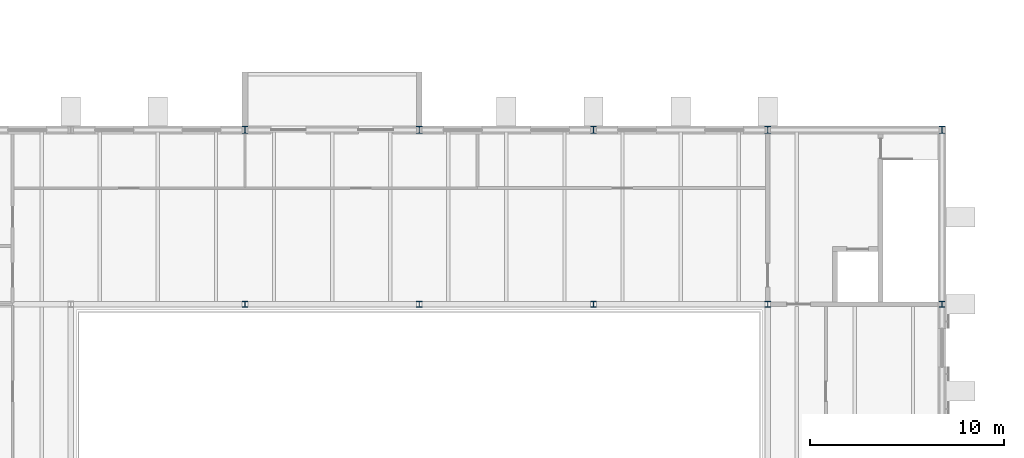
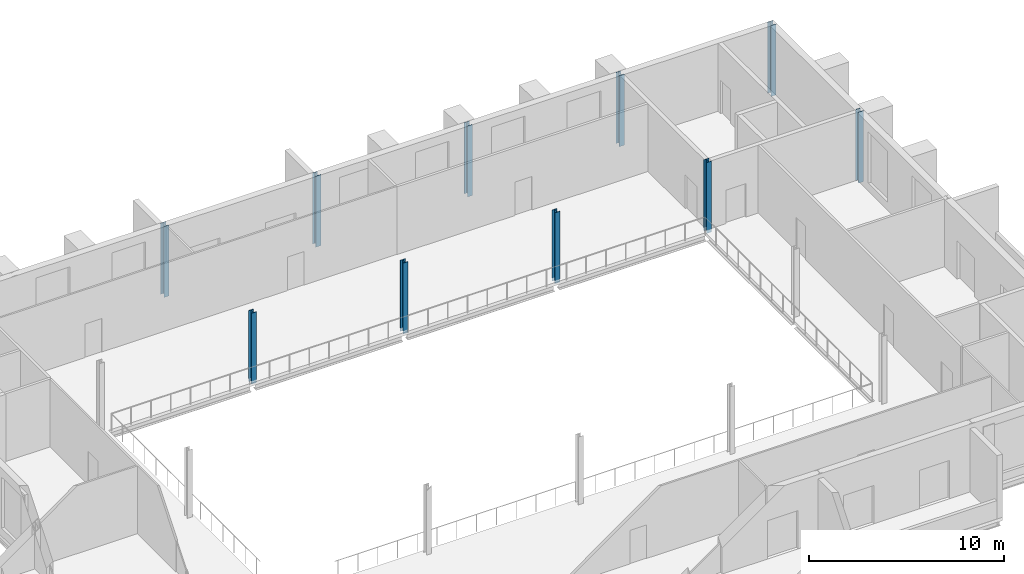
# One storey, part 23 of 131: 10 columns.
"""IFC4 building model written with IfcOpenShell, lengths in metres."""

from ifc_helpers import new_model, si_unit, direction, frame, origin, origin_2d, place, context, subcontext, project, spatial, i_section, extrude, material, material_profile, profile_set, type_object, element, save


model = new_model("IFC4")

# Units and contexts
model_context = context("Model", 3, precision=1e-05, world=origin(), true_north=direction((0.0, 1.0)))
body_context = subcontext(model_context, "Body", "Model", "MODEL_VIEW")
ifc_project = project(units=[si_unit("LENGTHUNIT", "METRE"), si_unit("AREAUNIT", "SQUARE_METRE"), si_unit("VOLUMEUNIT", "CUBIC_METRE"), si_unit("PLANEANGLEUNIT", "RADIAN"), si_unit("MASSUNIT", "GRAM", prefix="KILO")], contexts=[model_context])

# Site, building, storey
site_placement = place(None, origin())
site = spatial("IfcSite", under=ifc_project, at=site_placement, CompositionType="ELEMENT")
building_placement = place(site_placement, origin())
building = spatial("IfcBuilding", under=site, at=building_placement, Name="Golden Quay Civic Hall", CompositionType="ELEMENT")
storey_placement = place(building_placement, frame((0.0, 0.0, 9.89990234375)))
storey = spatial("IfcBuildingStorey", under=building, at=storey_placement, Name="L02", CompositionType="ELEMENT", Elevation=9.89990234375)

# Columns
ifc_material_1 = material(Name="Steel S355", Category="steel")
ifc_material_profile_1 = material_profile(ifc_material_1, i_section(OverallWidth=0.300048828125, OverallDepth=0.300048828125, WebThickness=0.010986328125, FlangeThickness=0.01904296875, FilletRadius=0.027099609375, at=origin_2d()), Name="HEB 300")
ifc_profile_set_1 = profile_set([ifc_material_profile_1], Name="Steel S355")
column_type_1 = type_object("IfcColumnType", Name="Steel column HEB 300", PredefinedType="COLUMN", material=ifc_profile_set_1)
for number, where, z_axis, x_axis, name in (
    (1, (135.0, 90.0, -0.199951171875), (0.0, 0.0, 1.0), (1.0, 0.0, 0.0), "L02 column 135/90"),
    (2, (144.0, 90.0, -0.199951171875), (0.0, 0.0, 1.0), (1.0, 0.0, 0.0), "L02 column 144/90"),
    (3, (153.0, 90.0, -0.199951171875), (0.0, 0.0, 1.0), (1.0, 0.0, 0.0), "L02 column 153/90"),
    (4, (162.0, 90.0, -0.199951171875), (0.0, 0.0, 1.0), (1.0, 0.0, 0.0), "L02 column 162/90"),
    (5, (171.0, 90.0, -0.199951171875), (0.0, 0.0, 1.0), (1.0, 0.0, 0.0), "L02 column 171/90"),
):
    element("IfcColumn", number, at=place(storey_placement, frame(where, z_axis=z_axis, x_axis=x_axis)), inside=storey, type_object=column_type_1, Name=name, PredefinedType="COLUMN", context=body_context, shape_type="SweptSolid", body=[
        extrude(i_section(OverallWidth=0.300048828125, OverallDepth=0.300048828125, WebThickness=0.010986328125, FlangeThickness=0.01904296875, FilletRadius=0.027099609375, at=origin_2d()), origin(), (0.0, 0.0, 1.0), 4.449951171875),
    ])
ifc_material_2 = material(Name="Steel S355", Category="steel")
ifc_material_profile_2 = material_profile(ifc_material_2, i_section(OverallWidth=0.300048828125, OverallDepth=0.360107421875, WebThickness=0.012451171875, FlangeThickness=0.0224609375, FilletRadius=0.027099609375, at=origin_2d()), Name="HEB 360")
ifc_profile_set_2 = profile_set([ifc_material_profile_2], Name="Steel S355")
column_type_2 = type_object("IfcColumnType", Name="Steel column HEB 360", PredefinedType="COLUMN", material=ifc_profile_set_2)
for number, where, z_axis, x_axis, name in (
    (6, (135.0, 99.0, -0.199951171875), (0.0, 0.0, 1.0), (1.0, 0.0, 0.0), "L02 column 135/99"),
    (7, (144.0, 99.0, -0.199951171875), (0.0, 0.0, 1.0), (1.0, 0.0, 0.0), "L02 column 144/99"),
    (8, (153.0, 99.0, -0.199951171875), (0.0, 0.0, 1.0), (1.0, 0.0, 0.0), "L02 column 153/99"),
    (9, (162.0, 99.0, -0.199951171875), (0.0, 0.0, 1.0), (1.0, 0.0, 0.0), "L02 column 162/99"),
    (10, (171.0, 99.0, -0.199951171875), (0.0, 0.0, 1.0), (1.0, 0.0, 0.0), "L02 column 171/99"),
):
    element("IfcColumn", number, at=place(storey_placement, frame(where, z_axis=z_axis, x_axis=x_axis)), inside=storey, type_object=column_type_2, Name=name, PredefinedType="COLUMN", context=body_context, shape_type="SweptSolid", body=[
        extrude(i_section(OverallWidth=0.300048828125, OverallDepth=0.360107421875, WebThickness=0.012451171875, FlangeThickness=0.0224609375, FilletRadius=0.027099609375, at=origin_2d()), origin(), (0.0, 0.0, 1.0), 4.449951171875),
    ])

save(model, "model.ifc")
